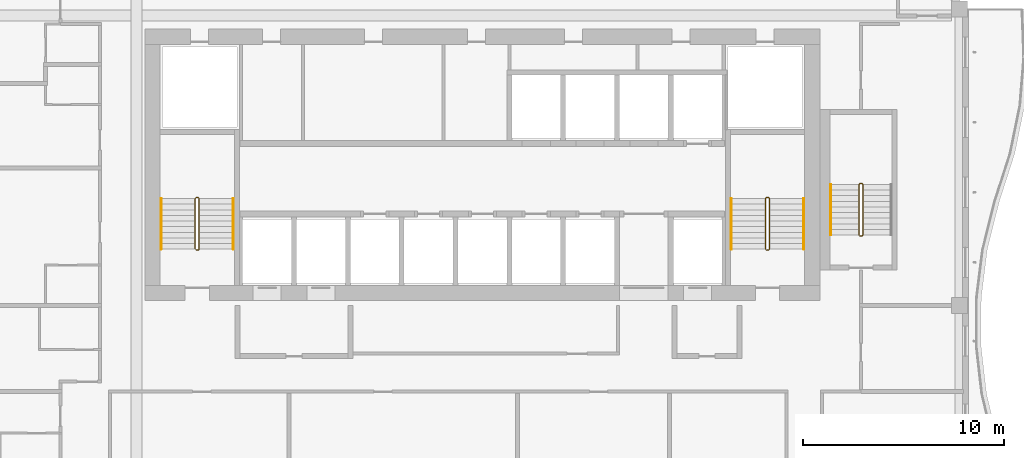
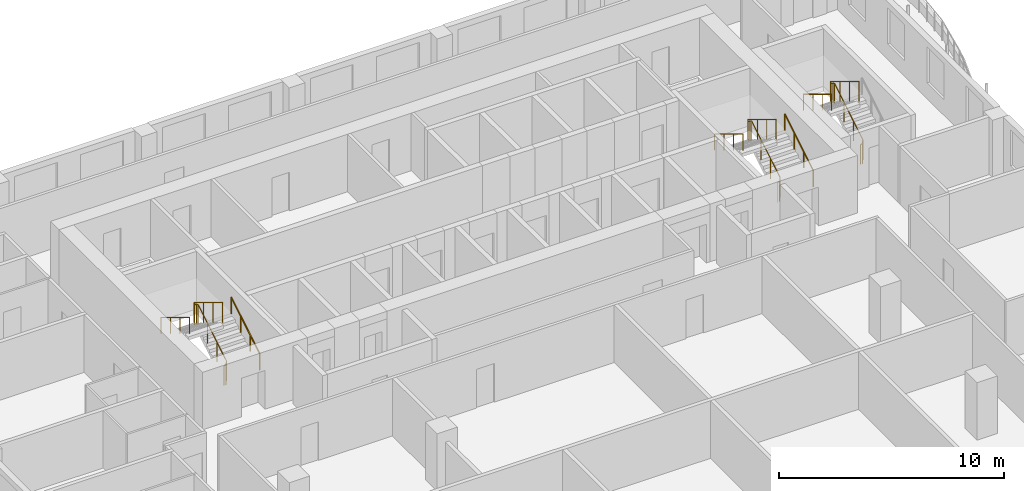
# One storey, part 20 of 21: 8 railings.
"""IFC4 building model written with IfcOpenShell, lengths in metres."""

from ifc_helpers import new_model, si_unit, direction, frame, origin, origin_2d, place, context, subcontext, project, spatial, circle, extrude, material, type_object, element, save


model = new_model("IFC4")

# Units and contexts
model_context = context("Model", 3, precision=1e-05, world=origin(), true_north=direction((0.0, 1.0)))
body_context = subcontext(model_context, "Body", "Model", "MODEL_VIEW")
ifc_project = project(units=[si_unit("LENGTHUNIT", "METRE"), si_unit("AREAUNIT", "SQUARE_METRE"), si_unit("VOLUMEUNIT", "CUBIC_METRE"), si_unit("PLANEANGLEUNIT", "RADIAN"), si_unit("MASSUNIT", "GRAM", prefix="KILO")], contexts=[model_context])

# Site, building, storey
site_placement = place(None, origin())
site = spatial("IfcSite", under=ifc_project, at=site_placement, CompositionType="ELEMENT")
building_placement = place(site_placement, origin())
building = spatial("IfcBuilding", under=site, at=building_placement, Name="Kilnfold Tower and Market Hall", CompositionType="ELEMENT")
storey_placement = place(building_placement, frame((0.0, 0.0, 185.5)))
storey = spatial("IfcBuildingStorey", under=building, at=storey_placement, Name="L44", CompositionType="ELEMENT", Elevation=185.5)

# Railings
ifc_material_1 = material(Name="Stainless steel 316", Category="steel")
railing_type_1 = type_object("IfcRailingType", Name="CORE STAIR GUARD 1100", PredefinedType="GUARDRAIL", material=ifc_material_1)
railing_1_placement = place(storey_placement, frame((-13.199951171875, 10.75, 0.0)))
element("IfcRailing", 1, at=railing_1_placement, inside=storey, type_object=railing_type_1, Name="L44 ST1 stair guard 1", PredefinedType="GUARDRAIL", context=body_context, shape_type="SweptSolid", body=[
    extrude(circle(Radius=0.02392578125, at=origin_2d()), frame((0.0, 0.0, 1.076171875), z_axis=(1.0, 0.0, 0.0), x_axis=(0.0, 1.0, 0.0)), (0.0, 0.0, 1.0), 0.099853515625),
    extrude(circle(Radius=0.02392578125, at=origin_2d()), frame((0.099853515625, 0.0, 1.076171875), z_axis=(0.271895245746, 0.271895245746, 0.923117517265), x_axis=(-0.707106781187, 0.707106781187, 0.0)), (0.0, 0.0, 1.0), 0.18408203125),
    extrude(circle(Radius=0.02392578125, at=origin_2d()), frame((0.14990234375, 0.050048828125, 1.24609375), z_axis=(0.0, 0.85478489116, 0.518982456201), x_axis=(-1.0, 0.0, 0.0)), (0.0, 0.0, 1.0), 2.9482421875),
    extrude(circle(Radius=0.02392578125, at=origin_2d()), frame((0.14990234375, 2.570068359375, 2.77587890625), z_axis=(-0.707106781187, 0.707106781187, 0.0), x_axis=(-0.707106781187, -0.707106781187, 0.0)), (0.0, 0.0, 1.0), 0.07080078125),
    extrude(circle(Radius=0.02392578125, at=origin_2d()), frame((0.099853515625, 2.6201171875, 2.77587890625), z_axis=(-1.0, 0.0, 0.0), x_axis=(0.0, -1.0, 0.0)), (0.0, 0.0, 1.0), 0.099853515625),
    extrude(circle(Radius=0.02392578125, at=origin_2d()), frame((0.0, 2.6201171875, 2.77587890625), z_axis=(-0.271562723297, -0.271562723297, 0.923313259209), x_axis=(0.707106781187, -0.707106781187, 0.0)), (0.0, 0.0, 1.0), 0.184326171875),
    extrude(circle(Radius=0.02392578125, at=origin_2d()), frame((-0.050048828125, 2.570068359375, 2.9462890625), z_axis=(0.0, -0.854821627497, 0.518921945155), x_axis=(1.0, 0.0, 0.0)), (0.0, 0.0, 1.0), 2.947998046875),
    extrude(circle(Radius=0.02099609375, at=origin_2d()), origin(), (0.0, 0.0, 1.0), 1.052001953125),
    extrude(circle(Radius=0.02099609375, at=origin_2d()), frame((0.099853515625, 0.0, 0.0)), (0.0, 0.0, 1.0), 1.052001953125),
    extrude(circle(Radius=0.02099609375, at=origin_2d()), frame((0.14990234375, 0.050048828125, 0.169921875)), (0.0, 0.0, 1.0), 1.052001953125),
    extrude(circle(Radius=0.02099609375, at=origin_2d()), frame((0.14990234375, 0.89013671875, 0.679931640625)), (0.0, 0.0, 1.0), 1.052001953125),
    extrude(circle(Radius=0.02099609375, at=origin_2d()), frame((0.14990234375, 1.72998046875, 1.18994140625)), (0.0, 0.0, 1.0), 1.052001953125),
    extrude(circle(Radius=0.02099609375, at=origin_2d()), frame((0.14990234375, 2.570068359375, 1.699951171875)), (0.0, 0.0, 1.0), 1.052001953125),
    extrude(circle(Radius=0.02099609375, at=origin_2d()), frame((0.099853515625, 2.6201171875, 1.699951171875)), (0.0, 0.0, 1.0), 1.052001953125),
    extrude(circle(Radius=0.02099609375, at=origin_2d()), frame((0.0, 2.6201171875, 1.699951171875)), (0.0, 0.0, 1.0), 1.052001953125),
    extrude(circle(Radius=0.02099609375, at=origin_2d()), frame((-0.050048828125, 2.570068359375, 1.8701171875)), (0.0, 0.0, 1.0), 1.052001953125),
    extrude(circle(Radius=0.02099609375, at=origin_2d()), frame((-0.050048828125, 1.72998046875, 2.380126953125)), (0.0, 0.0, 1.0), 1.052001953125),
    extrude(circle(Radius=0.02099609375, at=origin_2d()), frame((-0.050048828125, 0.89013671875, 2.889892578125)), (0.0, 0.0, 1.0), 1.052001953125),
    extrude(circle(Radius=0.02099609375, at=origin_2d()), frame((-0.050048828125, 0.050048828125, 3.39990234375)), (0.0, 0.0, 1.0), 1.052001953125),
])
railing_2_placement = place(storey_placement, frame((15.199951171875, 10.75, 0.0)))
element("IfcRailing", 2, at=railing_2_placement, inside=storey, type_object=railing_type_1, Name="L44 ST2 stair guard 1", PredefinedType="GUARDRAIL", context=body_context, shape_type="SweptSolid", body=[
    extrude(circle(Radius=0.02392578125, at=origin_2d()), frame((0.0, 0.0, 1.076171875), z_axis=(1.0, 0.0, 0.0), x_axis=(0.0, 1.0, 0.0)), (0.0, 0.0, 1.0), 0.10009765625),
    extrude(circle(Radius=0.02392578125, at=origin_2d()), frame((0.10009765625, 0.0, 1.076171875), z_axis=(0.271895245746, 0.271895245746, 0.923117517265), x_axis=(-0.707106781187, 0.707106781187, 0.0)), (0.0, 0.0, 1.0), 0.18408203125),
    extrude(circle(Radius=0.02392578125, at=origin_2d()), frame((0.150146484375, 0.050048828125, 1.24609375), z_axis=(0.0, 0.85478489116, 0.518982456201), x_axis=(-1.0, 0.0, 0.0)), (0.0, 0.0, 1.0), 2.9482421875),
    extrude(circle(Radius=0.02392578125, at=origin_2d()), frame((0.150146484375, 2.570068359375, 2.77587890625), z_axis=(-0.707106781187, 0.707106781187, 0.0), x_axis=(-0.707106781187, -0.707106781187, 0.0)), (0.0, 0.0, 1.0), 0.07080078125),
    extrude(circle(Radius=0.02392578125, at=origin_2d()), frame((0.10009765625, 2.6201171875, 2.77587890625), z_axis=(-1.0, 0.0, 0.0), x_axis=(0.0, -1.0, 0.0)), (0.0, 0.0, 1.0), 0.10009765625),
    extrude(circle(Radius=0.02392578125, at=origin_2d()), frame((0.0, 2.6201171875, 2.77587890625), z_axis=(-0.271562723297, -0.271562723297, 0.923313259209), x_axis=(0.707106781187, -0.707106781187, 0.0)), (0.0, 0.0, 1.0), 0.184326171875),
    extrude(circle(Radius=0.02392578125, at=origin_2d()), frame((-0.050048828125, 2.570068359375, 2.9462890625), z_axis=(0.0, -0.854821627497, 0.518921945155), x_axis=(1.0, 0.0, 0.0)), (0.0, 0.0, 1.0), 2.947998046875),
    extrude(circle(Radius=0.02099609375, at=origin_2d()), origin(), (0.0, 0.0, 1.0), 1.052001953125),
    extrude(circle(Radius=0.02099609375, at=origin_2d()), frame((0.10009765625, 0.0, 0.0)), (0.0, 0.0, 1.0), 1.052001953125),
    extrude(circle(Radius=0.02099609375, at=origin_2d()), frame((0.150146484375, 0.050048828125, 0.169921875)), (0.0, 0.0, 1.0), 1.052001953125),
    extrude(circle(Radius=0.02099609375, at=origin_2d()), frame((0.150146484375, 0.89013671875, 0.679931640625)), (0.0, 0.0, 1.0), 1.052001953125),
    extrude(circle(Radius=0.02099609375, at=origin_2d()), frame((0.150146484375, 1.72998046875, 1.18994140625)), (0.0, 0.0, 1.0), 1.052001953125),
    extrude(circle(Radius=0.02099609375, at=origin_2d()), frame((0.150146484375, 2.570068359375, 1.699951171875)), (0.0, 0.0, 1.0), 1.052001953125),
    extrude(circle(Radius=0.02099609375, at=origin_2d()), frame((0.10009765625, 2.6201171875, 1.699951171875)), (0.0, 0.0, 1.0), 1.052001953125),
    extrude(circle(Radius=0.02099609375, at=origin_2d()), frame((0.0, 2.6201171875, 1.699951171875)), (0.0, 0.0, 1.0), 1.052001953125),
    extrude(circle(Radius=0.02099609375, at=origin_2d()), frame((-0.050048828125, 2.570068359375, 1.8701171875)), (0.0, 0.0, 1.0), 1.052001953125),
    extrude(circle(Radius=0.02099609375, at=origin_2d()), frame((-0.050048828125, 1.72998046875, 2.380126953125)), (0.0, 0.0, 1.0), 1.052001953125),
    extrude(circle(Radius=0.02099609375, at=origin_2d()), frame((-0.050048828125, 0.89013671875, 2.889892578125)), (0.0, 0.0, 1.0), 1.052001953125),
    extrude(circle(Radius=0.02099609375, at=origin_2d()), frame((-0.050048828125, 0.050048828125, 3.39990234375)), (0.0, 0.0, 1.0), 1.052001953125),
])
railing_3_placement = place(storey_placement, frame((19.85009765625, 11.449951171875, 0.0)))
element("IfcRailing", 3, at=railing_3_placement, inside=storey, type_object=railing_type_1, Name="L44 ST5 stair guard 1", PredefinedType="GUARDRAIL", context=body_context, shape_type="SweptSolid", body=[
    extrude(circle(Radius=0.02392578125, at=origin_2d()), frame((0.0, 0.0, 1.076171875), z_axis=(1.0, 0.0, 0.0), x_axis=(0.0, 1.0, 0.0)), (0.0, 0.0, 1.0), 0.099853515625),
    extrude(circle(Radius=0.02392578125, at=origin_2d()), frame((0.099853515625, 0.0, 1.076171875), z_axis=(0.271895245746, 0.271895245746, 0.923117517265), x_axis=(-0.707106781187, 0.707106781187, 0.0)), (0.0, 0.0, 1.0), 0.18408203125),
    extrude(circle(Radius=0.02392578125, at=origin_2d()), frame((0.14990234375, 0.050048828125, 1.24609375), z_axis=(0.0, 0.85478489116, 0.518982456201), x_axis=(-1.0, 0.0, 0.0)), (0.0, 0.0, 1.0), 2.9482421875),
    extrude(circle(Radius=0.02392578125, at=origin_2d()), frame((0.14990234375, 2.570068359375, 2.77587890625), z_axis=(-0.707106781187, 0.707106781187, 0.0), x_axis=(-0.707106781187, -0.707106781187, 0.0)), (0.0, 0.0, 1.0), 0.07080078125),
    extrude(circle(Radius=0.02392578125, at=origin_2d()), frame((0.099853515625, 2.6201171875, 2.77587890625), z_axis=(-1.0, 0.0, 0.0), x_axis=(0.0, -1.0, 0.0)), (0.0, 0.0, 1.0), 0.099853515625),
    extrude(circle(Radius=0.02392578125, at=origin_2d()), frame((0.0, 2.6201171875, 2.77587890625), z_axis=(-0.271562723297, -0.271562723297, 0.923313259209), x_axis=(0.707106781187, -0.707106781187, 0.0)), (0.0, 0.0, 1.0), 0.184326171875),
    extrude(circle(Radius=0.02392578125, at=origin_2d()), frame((-0.050048828125, 2.570068359375, 2.9462890625), z_axis=(0.0, -0.854821627497, 0.518921945155), x_axis=(1.0, 0.0, 0.0)), (0.0, 0.0, 1.0), 2.947998046875),
    extrude(circle(Radius=0.02099609375, at=origin_2d()), origin(), (0.0, 0.0, 1.0), 1.052001953125),
    extrude(circle(Radius=0.02099609375, at=origin_2d()), frame((0.099853515625, 0.0, 0.0)), (0.0, 0.0, 1.0), 1.052001953125),
    extrude(circle(Radius=0.02099609375, at=origin_2d()), frame((0.14990234375, 0.050048828125, 0.169921875)), (0.0, 0.0, 1.0), 1.052001953125),
    extrude(circle(Radius=0.02099609375, at=origin_2d()), frame((0.14990234375, 0.89013671875, 0.679931640625)), (0.0, 0.0, 1.0), 1.052001953125),
    extrude(circle(Radius=0.02099609375, at=origin_2d()), frame((0.14990234375, 1.72998046875, 1.18994140625)), (0.0, 0.0, 1.0), 1.052001953125),
    extrude(circle(Radius=0.02099609375, at=origin_2d()), frame((0.14990234375, 2.570068359375, 1.699951171875)), (0.0, 0.0, 1.0), 1.052001953125),
    extrude(circle(Radius=0.02099609375, at=origin_2d()), frame((0.099853515625, 2.6201171875, 1.699951171875)), (0.0, 0.0, 1.0), 1.052001953125),
    extrude(circle(Radius=0.02099609375, at=origin_2d()), frame((0.0, 2.6201171875, 1.699951171875)), (0.0, 0.0, 1.0), 1.052001953125),
    extrude(circle(Radius=0.02099609375, at=origin_2d()), frame((-0.050048828125, 2.570068359375, 1.8701171875)), (0.0, 0.0, 1.0), 1.052001953125),
    extrude(circle(Radius=0.02099609375, at=origin_2d()), frame((-0.050048828125, 1.72998046875, 2.380126953125)), (0.0, 0.0, 1.0), 1.052001953125),
    extrude(circle(Radius=0.02099609375, at=origin_2d()), frame((-0.050048828125, 0.89013671875, 2.889892578125)), (0.0, 0.0, 1.0), 1.052001953125),
    extrude(circle(Radius=0.02099609375, at=origin_2d()), frame((-0.050048828125, 0.050048828125, 3.39990234375)), (0.0, 0.0, 1.0), 1.052001953125),
])
ifc_material_2 = material(Name="Stainless steel 316", Category="steel")
railing_type_2 = type_object("IfcRailingType", Name="CORE STAIR HANDRAIL 900", PredefinedType="HANDRAIL", material=ifc_material_2)
railing_4_placement = place(storey_placement, frame((-11.35009765625, 10.800048828125, 0.169921875)))
element("IfcRailing", 4, at=railing_4_placement, inside=storey, type_object=railing_type_2, Name="L44 ST1 stair handrail 1", PredefinedType="HANDRAIL", context=body_context, shape_type="SweptSolid", body=[
    extrude(circle(Radius=0.02392578125, at=origin_2d()), frame((0.0, 0.0, 0.8759765625), z_axis=(0.0, 0.85478489116, 0.518982456201), x_axis=(-1.0, 0.0, 0.0)), (0.0, 0.0, 1.0), 2.9482421875),
    extrude(circle(Radius=0.02099609375, at=origin_2d()), origin(), (0.0, 0.0, 1.0), 0.851806640625),
    extrude(circle(Radius=0.02099609375, at=origin_2d()), frame((0.0, 0.840087890625, 0.510009765625)), (0.0, 0.0, 1.0), 0.851806640625),
    extrude(circle(Radius=0.02099609375, at=origin_2d()), frame((0.0, 1.679931640625, 1.02001953125)), (0.0, 0.0, 1.0), 0.851806640625),
    extrude(circle(Radius=0.02099609375, at=origin_2d()), frame((0.0, 2.52001953125, 1.530029296875)), (0.0, 0.0, 1.0), 0.851806640625),
])
railing_5_placement = place(storey_placement, frame((-14.949951171875, 13.320068359375, 1.8701171875)))
element("IfcRailing", 5, at=railing_5_placement, inside=storey, type_object=railing_type_2, Name="L44 ST1 stair handrail 2", PredefinedType="HANDRAIL", context=body_context, shape_type="SweptSolid", body=[
    extrude(circle(Radius=0.02392578125, at=origin_2d()), frame((0.0, 0.0, 0.8759765625), z_axis=(0.0, -0.854821627497, 0.518921945155), x_axis=(1.0, 0.0, 0.0)), (0.0, 0.0, 1.0), 2.947998046875),
    extrude(circle(Radius=0.02099609375, at=origin_2d()), origin(), (0.0, 0.0, 1.0), 0.851806640625),
    extrude(circle(Radius=0.02099609375, at=origin_2d()), frame((0.0, -0.840087890625, 0.510009765625)), (0.0, 0.0, 1.0), 0.851806640625),
    extrude(circle(Radius=0.02099609375, at=origin_2d()), frame((0.0, -1.679931640625, 1.019775390625)), (0.0, 0.0, 1.0), 0.851806640625),
    extrude(circle(Radius=0.02099609375, at=origin_2d()), frame((0.0, -2.52001953125, 1.52978515625)), (0.0, 0.0, 1.0), 0.851806640625),
])
railing_6_placement = place(storey_placement, frame((17.050048828125, 10.800048828125, 0.169921875)))
element("IfcRailing", 6, at=railing_6_placement, inside=storey, type_object=railing_type_2, Name="L44 ST2 stair handrail 1", PredefinedType="HANDRAIL", context=body_context, shape_type="SweptSolid", body=[
    extrude(circle(Radius=0.02392578125, at=origin_2d()), frame((0.0, 0.0, 0.8759765625), z_axis=(0.0, 0.85478489116, 0.518982456201), x_axis=(-1.0, 0.0, 0.0)), (0.0, 0.0, 1.0), 2.9482421875),
    extrude(circle(Radius=0.02099609375, at=origin_2d()), origin(), (0.0, 0.0, 1.0), 0.851806640625),
    extrude(circle(Radius=0.02099609375, at=origin_2d()), frame((0.0, 0.840087890625, 0.510009765625)), (0.0, 0.0, 1.0), 0.851806640625),
    extrude(circle(Radius=0.02099609375, at=origin_2d()), frame((0.0, 1.679931640625, 1.02001953125)), (0.0, 0.0, 1.0), 0.851806640625),
    extrude(circle(Radius=0.02099609375, at=origin_2d()), frame((0.0, 2.52001953125, 1.530029296875)), (0.0, 0.0, 1.0), 0.851806640625),
])
for number, where, name in (
    (7, (13.449951171875, 13.320068359375, 1.8701171875), "L44 ST2 stair handrail 2"),
    (8, (18.39990234375, 14.02001953125, 1.8701171875), "L44 ST5 stair handrail 2"),
):
    element("IfcRailing", number, at=place(storey_placement, frame(where)), inside=storey, type_object=railing_type_2, Name=name, PredefinedType="HANDRAIL", context=body_context, shape_type="SweptSolid", body=[
        extrude(circle(Radius=0.02392578125, at=origin_2d()), frame((0.0, 0.0, 0.8759765625), z_axis=(0.0, -0.854821627497, 0.518921945155), x_axis=(1.0, 0.0, 0.0)), (0.0, 0.0, 1.0), 2.947998046875),
        extrude(circle(Radius=0.02099609375, at=origin_2d()), origin(), (0.0, 0.0, 1.0), 0.851806640625),
        extrude(circle(Radius=0.02099609375, at=origin_2d()), frame((0.0, -0.840087890625, 0.510009765625)), (0.0, 0.0, 1.0), 0.851806640625),
        extrude(circle(Radius=0.02099609375, at=origin_2d()), frame((0.0, -1.679931640625, 1.019775390625)), (0.0, 0.0, 1.0), 0.851806640625),
        extrude(circle(Radius=0.02099609375, at=origin_2d()), frame((0.0, -2.52001953125, 1.52978515625)), (0.0, 0.0, 1.0), 0.851806640625),
    ])

save(model, "model.ifc")
